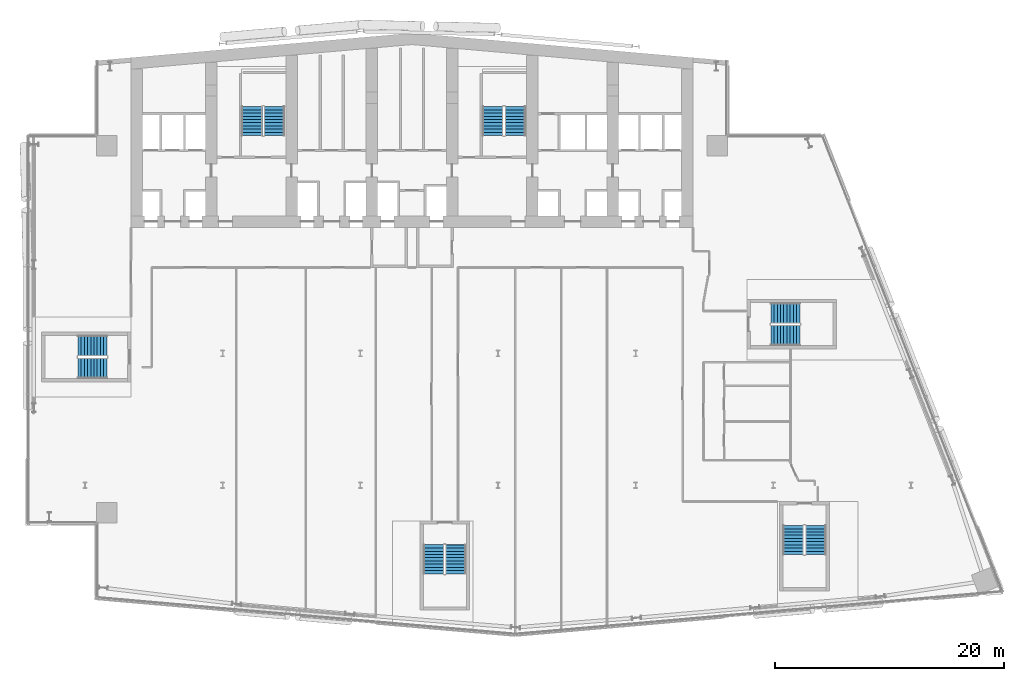
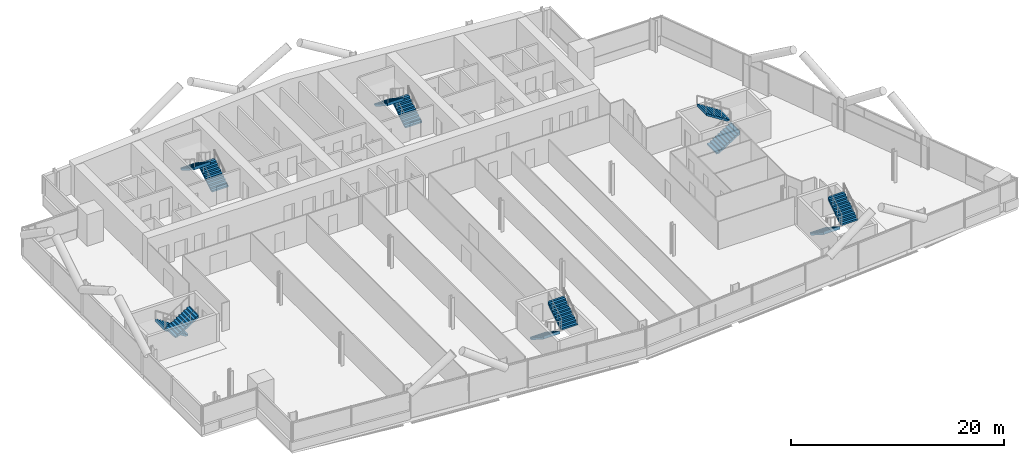
# One storey, part 19 of 25: 12 stair flights, 6 elements without a shape of their own.
"""IFC4 building model written with IfcOpenShell, lengths in metres."""

from ifc_helpers import new_model, si_unit, direction, frame, origin, place, context, subcontext, project, spatial, polyline, outline, extrude, material, type_object, element, aggregate, save


model = new_model("IFC4")

# Units and contexts
model_context = context("Model", 3, precision=1e-05, world=origin(), true_north=direction((0.0, 1.0)))
body_context = subcontext(model_context, "Body", "Model", "MODEL_VIEW")
ifc_project = project(units=[si_unit("LENGTHUNIT", "METRE"), si_unit("AREAUNIT", "SQUARE_METRE"), si_unit("VOLUMEUNIT", "CUBIC_METRE"), si_unit("PLANEANGLEUNIT", "RADIAN"), si_unit("MASSUNIT", "GRAM", prefix="KILO")], contexts=[model_context])

# Site, building, storey
site_placement = place(None, origin())
site = spatial("IfcSite", under=ifc_project, at=site_placement, CompositionType="ELEMENT")
building_placement = place(site_placement, origin())
building = spatial("IfcBuilding", under=site, at=building_placement, Name="Wharfspan Tower", CompositionType="ELEMENT")
storey_placement = place(building_placement, frame((0.0, 0.0, 129.100098)))
storey = spatial("IfcBuildingStorey", under=building, at=storey_placement, Name="L30", CompositionType="ELEMENT", Elevation=129.100098)

# Stair, stair flights
ifc_material = material(Name="Concrete C40/50", Category="concrete")
stair_type = type_object("IfcStairType", Name="Half-turn stair 20 risers 180 mm", PredefinedType="HALF_TURN_STAIR", material=ifc_material)
stair_1_placement = place(storey_placement, origin())
stair_1 = element("IfcStair", 1, at=stair_1_placement, inside=storey, type_object=stair_type, Name="L30 stair ST1", PredefinedType="HALF_TURN_STAIR")
stair_flight_type = type_object("IfcStairFlightType", Name="Stair flight 20 risers 180 mm", PredefinedType="STRAIGHT", material=ifc_material)
stair_flight_1_placement = place(storey_placement, frame((28.5, 42.0, 0.0), z_axis=(0.0, 0.0, 1.0), x_axis=(0.0, 1.0, 0.0)))
stair_flight_1 = element("IfcStairFlight", 2, at=stair_flight_1_placement, type_object=stair_flight_type, Name="ST1 flight 1", NumberOfRisers=10, NumberOfTreads=9, PredefinedType="STRAIGHT", RiserHeight=0.18, TreadLength=0.28, context=body_context, shape_type="SweptSolid", body=[
    extrude(outline(polyline([(-0.011963, 0.0), (-0.011963, 0.179932), (0.0, 0.179932), (0.280029, 0.179932), (0.280029, 0.360107), (0.560059, 0.360107), (0.560059, 0.540039), (0.840088, 0.540039), (0.840088, 0.719971), (1.120117, 0.719971), (1.120117, 0.899902), (1.399902, 0.899902), (1.399902, 1.080078), (1.679932, 1.080078), (1.679932, 1.26001), (1.959961, 1.26001), (1.959961, 1.439941), (2.23999, 1.439941), (2.23999, 1.620117), (2.52002, 1.620117), (2.531982, 1.800049), (2.531982, 1.441895), (0.2771, 0.0), (-0.011963, 0.0)])), frame((0.0, 0.899902, 0.0), z_axis=(0.0, -1.0, 0.0), x_axis=(1.0, 0.0, 0.0)), (0.0, 0.0, 1.0), 0.899414),
    extrude(outline(polyline([(-0.011963, 0.0), (-0.011963, 0.179932), (0.0, 0.179932), (0.280029, 0.179932), (0.280029, 0.360107), (0.560059, 0.360107), (0.560059, 0.540039), (0.840088, 0.540039), (0.840088, 0.719971), (1.120117, 0.719971), (1.120117, 0.899902), (1.399902, 0.899902), (1.399902, 1.080078), (1.679932, 1.080078), (1.679932, 1.26001), (1.959961, 1.26001), (1.959961, 1.439941), (2.23999, 1.439941), (2.23999, 1.620117), (2.52002, 1.620117), (2.531982, 1.800049), (2.531982, 1.441895), (0.2771, 0.0), (-0.011963, 0.0)])), frame((0.0, -0.000488, 0.0), z_axis=(0.0, -1.0, 0.0), x_axis=(1.0, 0.0, 0.0)), (0.0, 0.0, 1.0), 0.899414),
])
stair_flight_2_placement = place(storey_placement, frame((26.550049, 44.52002, 1.799805), z_axis=(0.0, 0.0, 1.0), x_axis=(0.0, -1.0, 0.0)))
stair_flight_2 = element("IfcStairFlight", 3, at=stair_flight_2_placement, type_object=stair_flight_type, Name="ST1 flight 2", NumberOfRisers=10, NumberOfTreads=9, PredefinedType="STRAIGHT", RiserHeight=0.18, TreadLength=0.28, context=body_context, shape_type="SweptSolid", body=[
    extrude(outline(polyline([(-0.011963, 0.0), (-0.011963, 0.179932), (0.0, 0.179932), (0.280029, 0.179932), (0.280029, 0.360107), (0.560059, 0.360107), (0.560059, 0.540039), (0.840088, 0.540039), (0.840088, 0.719971), (1.120117, 0.719971), (1.120117, 0.899902), (1.399902, 0.899902), (1.399902, 1.080078), (1.679932, 1.080078), (1.679932, 1.26001), (1.959961, 1.26001), (1.959961, 1.439941), (2.23999, 1.439941), (2.23999, 1.620117), (2.52002, 1.620117), (2.531982, 1.800049), (2.531982, 1.441895), (0.2771, 0.0), (-0.011963, 0.0)])), frame((0.0, 0.899902, 0.0), z_axis=(0.0, -1.0, 0.0), x_axis=(1.0, 0.0, 0.0)), (0.0, 0.0, 1.0), 0.899414),
    extrude(outline(polyline([(-0.011963, 0.0), (-0.011963, 0.179932), (0.0, 0.179932), (0.280029, 0.179932), (0.280029, 0.360107), (0.560059, 0.360107), (0.560059, 0.540039), (0.840088, 0.540039), (0.840088, 0.719971), (1.120117, 0.719971), (1.120117, 0.899902), (1.399902, 0.899902), (1.399902, 1.080078), (1.679932, 1.080078), (1.679932, 1.26001), (1.959961, 1.26001), (1.959961, 1.439941), (2.23999, 1.439941), (2.23999, 1.620117), (2.52002, 1.620117), (2.531982, 1.800049), (2.531982, 1.441895), (0.2771, 0.0), (-0.011963, 0.0)])), frame((0.0, -0.000488, 0.0), z_axis=(0.0, -1.0, 0.0), x_axis=(1.0, 0.0, 0.0)), (0.0, 0.0, 1.0), 0.899414),
])
aggregate(stair_1, [stair_flight_1, stair_flight_2])

stair_2_placement = place(storey_placement, origin())
stair_2 = element("IfcStair", 4, at=stair_2_placement, inside=storey, type_object=stair_type, Name="L30 stair ST2", PredefinedType="HALF_TURN_STAIR")
stair_flight_3_placement = place(storey_placement, frame((49.5, 42.0, 0.0), z_axis=(0.0, 0.0, 1.0), x_axis=(0.0, 1.0, 0.0)))
stair_flight_3 = element("IfcStairFlight", 5, at=stair_flight_3_placement, type_object=stair_flight_type, Name="ST2 flight 1", NumberOfRisers=10, NumberOfTreads=9, PredefinedType="STRAIGHT", RiserHeight=0.18, TreadLength=0.28, context=body_context, shape_type="SweptSolid", body=[
    extrude(outline(polyline([(-0.011963, 0.0), (-0.011963, 0.179932), (0.0, 0.179932), (0.280029, 0.179932), (0.280029, 0.360107), (0.560059, 0.360107), (0.560059, 0.540039), (0.840088, 0.540039), (0.840088, 0.719971), (1.120117, 0.719971), (1.120117, 0.899902), (1.399902, 0.899902), (1.399902, 1.080078), (1.679932, 1.080078), (1.679932, 1.26001), (1.959961, 1.26001), (1.959961, 1.439941), (2.23999, 1.439941), (2.23999, 1.620117), (2.52002, 1.620117), (2.531982, 1.800049), (2.531982, 1.441895), (0.2771, 0.0), (-0.011963, 0.0)])), frame((0.0, 0.899902, 0.0), z_axis=(0.0, -1.0, 0.0), x_axis=(1.0, 0.0, 0.0)), (0.0, 0.0, 1.0), 0.899414),
    extrude(outline(polyline([(-0.011963, 0.0), (-0.011963, 0.179932), (0.0, 0.179932), (0.280029, 0.179932), (0.280029, 0.360107), (0.560059, 0.360107), (0.560059, 0.540039), (0.840088, 0.540039), (0.840088, 0.719971), (1.120117, 0.719971), (1.120117, 0.899902), (1.399902, 0.899902), (1.399902, 1.080078), (1.679932, 1.080078), (1.679932, 1.26001), (1.959961, 1.26001), (1.959961, 1.439941), (2.23999, 1.439941), (2.23999, 1.620117), (2.52002, 1.620117), (2.531982, 1.800049), (2.531982, 1.441895), (0.2771, 0.0), (-0.011963, 0.0)])), frame((0.0, -0.000488, 0.0), z_axis=(0.0, -1.0, 0.0), x_axis=(1.0, 0.0, 0.0)), (0.0, 0.0, 1.0), 0.899414),
])
stair_flight_4_placement = place(storey_placement, frame((47.550049, 44.52002, 1.799805), z_axis=(0.0, 0.0, 1.0), x_axis=(0.0, -1.0, 0.0)))
stair_flight_4 = element("IfcStairFlight", 6, at=stair_flight_4_placement, type_object=stair_flight_type, Name="ST2 flight 2", NumberOfRisers=10, NumberOfTreads=9, PredefinedType="STRAIGHT", RiserHeight=0.18, TreadLength=0.28, context=body_context, shape_type="SweptSolid", body=[
    extrude(outline(polyline([(-0.011963, 0.0), (-0.011963, 0.179932), (0.0, 0.179932), (0.280029, 0.179932), (0.280029, 0.360107), (0.560059, 0.360107), (0.560059, 0.540039), (0.840088, 0.540039), (0.840088, 0.719971), (1.120117, 0.719971), (1.120117, 0.899902), (1.399902, 0.899902), (1.399902, 1.080078), (1.679932, 1.080078), (1.679932, 1.26001), (1.959961, 1.26001), (1.959961, 1.439941), (2.23999, 1.439941), (2.23999, 1.620117), (2.52002, 1.620117), (2.531982, 1.800049), (2.531982, 1.441895), (0.2771, 0.0), (-0.011963, 0.0)])), frame((0.0, 0.899902, 0.0), z_axis=(0.0, -1.0, 0.0), x_axis=(1.0, 0.0, 0.0)), (0.0, 0.0, 1.0), 0.899414),
    extrude(outline(polyline([(-0.011963, 0.0), (-0.011963, 0.179932), (0.0, 0.179932), (0.280029, 0.179932), (0.280029, 0.360107), (0.560059, 0.360107), (0.560059, 0.540039), (0.840088, 0.540039), (0.840088, 0.719971), (1.120117, 0.719971), (1.120117, 0.899902), (1.399902, 0.899902), (1.399902, 1.080078), (1.679932, 1.080078), (1.679932, 1.26001), (1.959961, 1.26001), (1.959961, 1.439941), (2.23999, 1.439941), (2.23999, 1.620117), (2.52002, 1.620117), (2.531982, 1.800049), (2.531982, 1.441895), (0.2771, 0.0), (-0.011963, 0.0)])), frame((0.0, -0.000488, 0.0), z_axis=(0.0, -1.0, 0.0), x_axis=(1.0, 0.0, 0.0)), (0.0, 0.0, 1.0), 0.899414),
])
aggregate(stair_2, [stair_flight_3, stair_flight_4])

stair_3_placement = place(storey_placement, origin())
stair_3 = element("IfcStair", 7, at=stair_3_placement, inside=storey, type_object=stair_type, Name="L30 stair ST3", PredefinedType="HALF_TURN_STAIR")
stair_flight_5_placement = place(storey_placement, frame((13.899902, 23.675049, 0.0), z_axis=(0.0, 0.0, 1.0), x_axis=(-1.0, 0.0, 0.0)))
stair_flight_5 = element("IfcStairFlight", 8, at=stair_flight_5_placement, type_object=stair_flight_type, Name="ST3 flight 1", NumberOfRisers=10, NumberOfTreads=9, PredefinedType="STRAIGHT", RiserHeight=0.18, TreadLength=0.28, context=body_context, shape_type="SweptSolid", body=[
    extrude(outline(polyline([(-0.011963, 0.0), (-0.011963, 0.179932), (0.0, 0.179932), (0.280029, 0.179932), (0.280029, 0.360107), (0.560059, 0.360107), (0.560059, 0.540039), (0.840088, 0.540039), (0.840088, 0.719971), (1.120117, 0.719971), (1.120117, 0.899902), (1.399902, 0.899902), (1.399902, 1.080078), (1.679932, 1.080078), (1.679932, 1.26001), (1.959961, 1.26001), (1.959961, 1.439941), (2.23999, 1.439941), (2.23999, 1.620117), (2.52002, 1.620117), (2.531982, 1.800049), (2.531982, 1.441895), (0.2771, 0.0), (-0.011963, 0.0)])), frame((0.0, 0.899902, 0.0), z_axis=(0.0, -1.0, 0.0), x_axis=(1.0, 0.0, 0.0)), (0.0, 0.0, 1.0), 0.899414),
    extrude(outline(polyline([(-0.011963, 0.0), (-0.011963, 0.179932), (0.0, 0.179932), (0.280029, 0.179932), (0.280029, 0.360107), (0.560059, 0.360107), (0.560059, 0.540039), (0.840088, 0.540039), (0.840088, 0.719971), (1.120117, 0.719971), (1.120117, 0.899902), (1.399902, 0.899902), (1.399902, 1.080078), (1.679932, 1.080078), (1.679932, 1.26001), (1.959961, 1.26001), (1.959961, 1.439941), (2.23999, 1.439941), (2.23999, 1.620117), (2.52002, 1.620117), (2.531982, 1.800049), (2.531982, 1.441895), (0.2771, 0.0), (-0.011963, 0.0)])), frame((0.0, -0.000488, 0.0), z_axis=(0.0, -1.0, 0.0), x_axis=(1.0, 0.0, 0.0)), (0.0, 0.0, 1.0), 0.899414),
])
stair_flight_6_placement = place(storey_placement, frame((11.379883, 21.725098, 1.799805), z_axis=(0.0, 0.0, 1.0), x_axis=(1.0, 0.0, 0.0)))
stair_flight_6 = element("IfcStairFlight", 9, at=stair_flight_6_placement, type_object=stair_flight_type, Name="ST3 flight 2", NumberOfRisers=10, NumberOfTreads=9, PredefinedType="STRAIGHT", RiserHeight=0.18, TreadLength=0.28, context=body_context, shape_type="SweptSolid", body=[
    extrude(outline(polyline([(-0.011963, 0.0), (-0.011963, 0.179932), (0.0, 0.179932), (0.280029, 0.179932), (0.280029, 0.360107), (0.560059, 0.360107), (0.560059, 0.540039), (0.840088, 0.540039), (0.840088, 0.719971), (1.120117, 0.719971), (1.120117, 0.899902), (1.399902, 0.899902), (1.399902, 1.080078), (1.679932, 1.080078), (1.679932, 1.26001), (1.959961, 1.26001), (1.959961, 1.439941), (2.23999, 1.439941), (2.23999, 1.620117), (2.52002, 1.620117), (2.531982, 1.800049), (2.531982, 1.441895), (0.2771, 0.0), (-0.011963, 0.0)])), frame((0.0, 0.899902, 0.0), z_axis=(0.0, -1.0, 0.0), x_axis=(1.0, 0.0, 0.0)), (0.0, 0.0, 1.0), 0.899414),
    extrude(outline(polyline([(-0.011963, 0.0), (-0.011963, 0.179932), (0.0, 0.179932), (0.280029, 0.179932), (0.280029, 0.360107), (0.560059, 0.360107), (0.560059, 0.540039), (0.840088, 0.540039), (0.840088, 0.719971), (1.120117, 0.719971), (1.120117, 0.899902), (1.399902, 0.899902), (1.399902, 1.080078), (1.679932, 1.080078), (1.679932, 1.26001), (1.959961, 1.26001), (1.959961, 1.439941), (2.23999, 1.439941), (2.23999, 1.620117), (2.52002, 1.620117), (2.531982, 1.800049), (2.531982, 1.441895), (0.2771, 0.0), (-0.011963, 0.0)])), frame((0.0, -0.000488, 0.0), z_axis=(0.0, -1.0, 0.0), x_axis=(1.0, 0.0, 0.0)), (0.0, 0.0, 1.0), 0.899414),
])
aggregate(stair_3, [stair_flight_5, stair_flight_6])

stair_4_placement = place(storey_placement, origin())
stair_4 = element("IfcStair", 10, at=stair_4_placement, inside=storey, type_object=stair_type, Name="L30 stair ST4", PredefinedType="HALF_TURN_STAIR")
stair_flight_7_placement = place(storey_placement, frame((42.385254, 6.316895, 0.0), z_axis=(0.0, 0.0, 1.0), x_axis=(0.0, -1.0, 0.0)))
stair_flight_7 = element("IfcStairFlight", 11, at=stair_flight_7_placement, type_object=stair_flight_type, Name="ST4 flight 1", NumberOfRisers=10, NumberOfTreads=9, PredefinedType="STRAIGHT", RiserHeight=0.18, TreadLength=0.28, context=body_context, shape_type="SweptSolid", body=[
    extrude(outline(polyline([(-0.011963, 0.0), (-0.011963, 0.179932), (0.0, 0.179932), (0.280029, 0.179932), (0.280029, 0.360107), (0.560059, 0.360107), (0.560059, 0.540039), (0.840088, 0.540039), (0.840088, 0.719971), (1.120117, 0.719971), (1.120117, 0.899902), (1.399902, 0.899902), (1.399902, 1.080078), (1.679932, 1.080078), (1.679932, 1.26001), (1.959961, 1.26001), (1.959961, 1.439941), (2.23999, 1.439941), (2.23999, 1.620117), (2.52002, 1.620117), (2.531982, 1.800049), (2.531982, 1.441895), (0.2771, 0.0), (-0.011963, 0.0)])), frame((0.0, 0.899902, 0.0), z_axis=(0.0, -1.0, 0.0), x_axis=(1.0, 0.0, 0.0)), (0.0, 0.0, 1.0), 0.899414),
    extrude(outline(polyline([(-0.011963, 0.0), (-0.011963, 0.179932), (0.0, 0.179932), (0.280029, 0.179932), (0.280029, 0.360107), (0.560059, 0.360107), (0.560059, 0.540039), (0.840088, 0.540039), (0.840088, 0.719971), (1.120117, 0.719971), (1.120117, 0.899902), (1.399902, 0.899902), (1.399902, 1.080078), (1.679932, 1.080078), (1.679932, 1.26001), (1.959961, 1.26001), (1.959961, 1.439941), (2.23999, 1.439941), (2.23999, 1.620117), (2.52002, 1.620117), (2.531982, 1.800049), (2.531982, 1.441895), (0.2771, 0.0), (-0.011963, 0.0)])), frame((0.0, -0.000488, 0.0), z_axis=(0.0, -1.0, 0.0), x_axis=(1.0, 0.0, 0.0)), (0.0, 0.0, 1.0), 0.899414),
])
stair_flight_8_placement = place(storey_placement, frame((44.335205, 3.796875, 1.799805), z_axis=(0.0, 0.0, 1.0), x_axis=(0.0, 1.0, 0.0)))
stair_flight_8 = element("IfcStairFlight", 12, at=stair_flight_8_placement, type_object=stair_flight_type, Name="ST4 flight 2", NumberOfRisers=10, NumberOfTreads=9, PredefinedType="STRAIGHT", RiserHeight=0.18, TreadLength=0.28, context=body_context, shape_type="SweptSolid", body=[
    extrude(outline(polyline([(-0.011963, 0.0), (-0.011963, 0.179932), (0.0, 0.179932), (0.280029, 0.179932), (0.280029, 0.360107), (0.560059, 0.360107), (0.560059, 0.540039), (0.840088, 0.540039), (0.840088, 0.719971), (1.120117, 0.719971), (1.120117, 0.899902), (1.399902, 0.899902), (1.399902, 1.080078), (1.679932, 1.080078), (1.679932, 1.26001), (1.959961, 1.26001), (1.959961, 1.439941), (2.23999, 1.439941), (2.23999, 1.620117), (2.52002, 1.620117), (2.531982, 1.800049), (2.531982, 1.441895), (0.2771, 0.0), (-0.011963, 0.0)])), frame((0.0, 0.899902, 0.0), z_axis=(0.0, -1.0, 0.0), x_axis=(1.0, 0.0, 0.0)), (0.0, 0.0, 1.0), 0.899414),
    extrude(outline(polyline([(-0.011963, 0.0), (-0.011963, 0.179932), (0.0, 0.179932), (0.280029, 0.179932), (0.280029, 0.360107), (0.560059, 0.360107), (0.560059, 0.540039), (0.840088, 0.540039), (0.840088, 0.719971), (1.120117, 0.719971), (1.120117, 0.899902), (1.399902, 0.899902), (1.399902, 1.080078), (1.679932, 1.080078), (1.679932, 1.26001), (1.959961, 1.26001), (1.959961, 1.439941), (2.23999, 1.439941), (2.23999, 1.620117), (2.52002, 1.620117), (2.531982, 1.800049), (2.531982, 1.441895), (0.2771, 0.0), (-0.011963, 0.0)])), frame((0.0, -0.000488, 0.0), z_axis=(0.0, -1.0, 0.0), x_axis=(1.0, 0.0, 0.0)), (0.0, 0.0, 1.0), 0.899414),
])
aggregate(stair_4, [stair_flight_7, stair_flight_8])

stair_5_placement = place(storey_placement, origin())
stair_5 = element("IfcStair", 13, at=stair_5_placement, inside=storey, type_object=stair_type, Name="L30 stair ST5", PredefinedType="HALF_TURN_STAIR")
stair_flight_9_placement = place(storey_placement, frame((73.740967, 7.994629, 0.0), z_axis=(0.0, 0.0, 1.0), x_axis=(0.0, -1.0, 0.0)))
stair_flight_9 = element("IfcStairFlight", 14, at=stair_flight_9_placement, type_object=stair_flight_type, Name="ST5 flight 1", NumberOfRisers=10, NumberOfTreads=9, PredefinedType="STRAIGHT", RiserHeight=0.18, TreadLength=0.28, context=body_context, shape_type="SweptSolid", body=[
    extrude(outline(polyline([(-0.011963, 0.0), (-0.011963, 0.179932), (0.0, 0.179932), (0.280029, 0.179932), (0.280029, 0.360107), (0.560059, 0.360107), (0.560059, 0.540039), (0.840088, 0.540039), (0.840088, 0.719971), (1.120117, 0.719971), (1.120117, 0.899902), (1.399902, 0.899902), (1.399902, 1.080078), (1.679932, 1.080078), (1.679932, 1.26001), (1.959961, 1.26001), (1.959961, 1.439941), (2.23999, 1.439941), (2.23999, 1.620117), (2.52002, 1.620117), (2.531982, 1.800049), (2.531982, 1.441895), (0.2771, 0.0), (-0.011963, 0.0)])), frame((0.0, 0.899902, 0.0), z_axis=(0.0, -1.0, 0.0), x_axis=(1.0, 0.0, 0.0)), (0.0, 0.0, 1.0), 0.899414),
    extrude(outline(polyline([(-0.011963, 0.0), (-0.011963, 0.179932), (0.0, 0.179932), (0.280029, 0.179932), (0.280029, 0.360107), (0.560059, 0.360107), (0.560059, 0.540039), (0.840088, 0.540039), (0.840088, 0.719971), (1.120117, 0.719971), (1.120117, 0.899902), (1.399902, 0.899902), (1.399902, 1.080078), (1.679932, 1.080078), (1.679932, 1.26001), (1.959961, 1.26001), (1.959961, 1.439941), (2.23999, 1.439941), (2.23999, 1.620117), (2.52002, 1.620117), (2.531982, 1.800049), (2.531982, 1.441895), (0.2771, 0.0), (-0.011963, 0.0)])), frame((0.0, -0.000488, 0.0), z_axis=(0.0, -1.0, 0.0), x_axis=(1.0, 0.0, 0.0)), (0.0, 0.0, 1.0), 0.899414),
])
stair_flight_10_placement = place(storey_placement, frame((75.690918, 5.474609, 1.799805), z_axis=(0.0, 0.0, 1.0), x_axis=(0.0, 1.0, 0.0)))
stair_flight_10 = element("IfcStairFlight", 15, at=stair_flight_10_placement, type_object=stair_flight_type, Name="ST5 flight 2", NumberOfRisers=10, NumberOfTreads=9, PredefinedType="STRAIGHT", RiserHeight=0.18, TreadLength=0.28, context=body_context, shape_type="SweptSolid", body=[
    extrude(outline(polyline([(-0.011963, 0.0), (-0.011963, 0.179932), (0.0, 0.179932), (0.280029, 0.179932), (0.280029, 0.360107), (0.560059, 0.360107), (0.560059, 0.540039), (0.840088, 0.540039), (0.840088, 0.719971), (1.120117, 0.719971), (1.120117, 0.899902), (1.399902, 0.899902), (1.399902, 1.080078), (1.679932, 1.080078), (1.679932, 1.26001), (1.959961, 1.26001), (1.959961, 1.439941), (2.23999, 1.439941), (2.23999, 1.620117), (2.52002, 1.620117), (2.531982, 1.800049), (2.531982, 1.441895), (0.2771, 0.0), (-0.011963, 0.0)])), frame((0.0, 0.899902, 0.0), z_axis=(0.0, -1.0, 0.0), x_axis=(1.0, 0.0, 0.0)), (0.0, 0.0, 1.0), 0.899414),
    extrude(outline(polyline([(-0.011963, 0.0), (-0.011963, 0.179932), (0.0, 0.179932), (0.280029, 0.179932), (0.280029, 0.360107), (0.560059, 0.360107), (0.560059, 0.540039), (0.840088, 0.540039), (0.840088, 0.719971), (1.120117, 0.719971), (1.120117, 0.899902), (1.399902, 0.899902), (1.399902, 1.080078), (1.679932, 1.080078), (1.679932, 1.26001), (1.959961, 1.26001), (1.959961, 1.439941), (2.23999, 1.439941), (2.23999, 1.620117), (2.52002, 1.620117), (2.531982, 1.800049), (2.531982, 1.441895), (0.2771, 0.0), (-0.011963, 0.0)])), frame((0.0, -0.000488, 0.0), z_axis=(0.0, -1.0, 0.0), x_axis=(1.0, 0.0, 0.0)), (0.0, 0.0, 1.0), 0.899414),
])
aggregate(stair_5, [stair_flight_9, stair_flight_10])

stair_6_placement = place(storey_placement, origin())
stair_6 = element("IfcStair", 16, at=stair_6_placement, inside=storey, type_object=stair_type, Name="L30 stair ST6", PredefinedType="HALF_TURN_STAIR")
stair_flight_11_placement = place(storey_placement, frame((71.790283, 24.574951, 0.0), z_axis=(0.0, 0.0, 1.0), x_axis=(1.0, 0.0, 0.0)))
stair_flight_11 = element("IfcStairFlight", 17, at=stair_flight_11_placement, type_object=stair_flight_type, Name="ST6 flight 1", NumberOfRisers=10, NumberOfTreads=9, PredefinedType="STRAIGHT", RiserHeight=0.18, TreadLength=0.28, context=body_context, shape_type="SweptSolid", body=[
    extrude(outline(polyline([(-0.011963, 0.0), (-0.011963, 0.179932), (0.0, 0.179932), (0.280029, 0.179932), (0.280029, 0.360107), (0.560059, 0.360107), (0.560059, 0.540039), (0.840088, 0.540039), (0.840088, 0.719971), (1.120117, 0.719971), (1.120117, 0.899902), (1.399902, 0.899902), (1.399902, 1.080078), (1.679932, 1.080078), (1.679932, 1.26001), (1.959961, 1.26001), (1.959961, 1.439941), (2.23999, 1.439941), (2.23999, 1.620117), (2.52002, 1.620117), (2.531982, 1.800049), (2.531982, 1.441895), (0.2771, 0.0), (-0.011963, 0.0)])), frame((0.0, 0.899902, 0.0), z_axis=(0.0, -1.0, 0.0), x_axis=(1.0, 0.0, 0.0)), (0.0, 0.0, 1.0), 0.899414),
    extrude(outline(polyline([(-0.011963, 0.0), (-0.011963, 0.179932), (0.0, 0.179932), (0.280029, 0.179932), (0.280029, 0.360107), (0.560059, 0.360107), (0.560059, 0.540039), (0.840088, 0.540039), (0.840088, 0.719971), (1.120117, 0.719971), (1.120117, 0.899902), (1.399902, 0.899902), (1.399902, 1.080078), (1.679932, 1.080078), (1.679932, 1.26001), (1.959961, 1.26001), (1.959961, 1.439941), (2.23999, 1.439941), (2.23999, 1.620117), (2.52002, 1.620117), (2.531982, 1.800049), (2.531982, 1.441895), (0.2771, 0.0), (-0.011963, 0.0)])), frame((0.0, -0.000488, 0.0), z_axis=(0.0, -1.0, 0.0), x_axis=(1.0, 0.0, 0.0)), (0.0, 0.0, 1.0), 0.899414),
])
stair_flight_12_placement = place(storey_placement, frame((74.310303, 26.524902, 1.799805), z_axis=(0.0, 0.0, 1.0), x_axis=(-1.0, 0.0, 0.0)))
stair_flight_12 = element("IfcStairFlight", 18, at=stair_flight_12_placement, type_object=stair_flight_type, Name="ST6 flight 2", NumberOfRisers=10, NumberOfTreads=9, PredefinedType="STRAIGHT", RiserHeight=0.18, TreadLength=0.28, context=body_context, shape_type="SweptSolid", body=[
    extrude(outline(polyline([(-0.011963, 0.0), (-0.011963, 0.179932), (0.0, 0.179932), (0.280029, 0.179932), (0.280029, 0.360107), (0.560059, 0.360107), (0.560059, 0.540039), (0.840088, 0.540039), (0.840088, 0.719971), (1.120117, 0.719971), (1.120117, 0.899902), (1.399902, 0.899902), (1.399902, 1.080078), (1.679932, 1.080078), (1.679932, 1.26001), (1.959961, 1.26001), (1.959961, 1.439941), (2.23999, 1.439941), (2.23999, 1.620117), (2.52002, 1.620117), (2.531982, 1.800049), (2.531982, 1.441895), (0.2771, 0.0), (-0.011963, 0.0)])), frame((0.0, 0.899902, 0.0), z_axis=(0.0, -1.0, 0.0), x_axis=(1.0, 0.0, 0.0)), (0.0, 0.0, 1.0), 0.899414),
    extrude(outline(polyline([(-0.011963, 0.0), (-0.011963, 0.179932), (0.0, 0.179932), (0.280029, 0.179932), (0.280029, 0.360107), (0.560059, 0.360107), (0.560059, 0.540039), (0.840088, 0.540039), (0.840088, 0.719971), (1.120117, 0.719971), (1.120117, 0.899902), (1.399902, 0.899902), (1.399902, 1.080078), (1.679932, 1.080078), (1.679932, 1.26001), (1.959961, 1.26001), (1.959961, 1.439941), (2.23999, 1.439941), (2.23999, 1.620117), (2.52002, 1.620117), (2.531982, 1.800049), (2.531982, 1.441895), (0.2771, 0.0), (-0.011963, 0.0)])), frame((0.0, -0.000488, 0.0), z_axis=(0.0, -1.0, 0.0), x_axis=(1.0, 0.0, 0.0)), (0.0, 0.0, 1.0), 0.899414),
])
aggregate(stair_6, [stair_flight_11, stair_flight_12])

save(model, "model.ifc")
